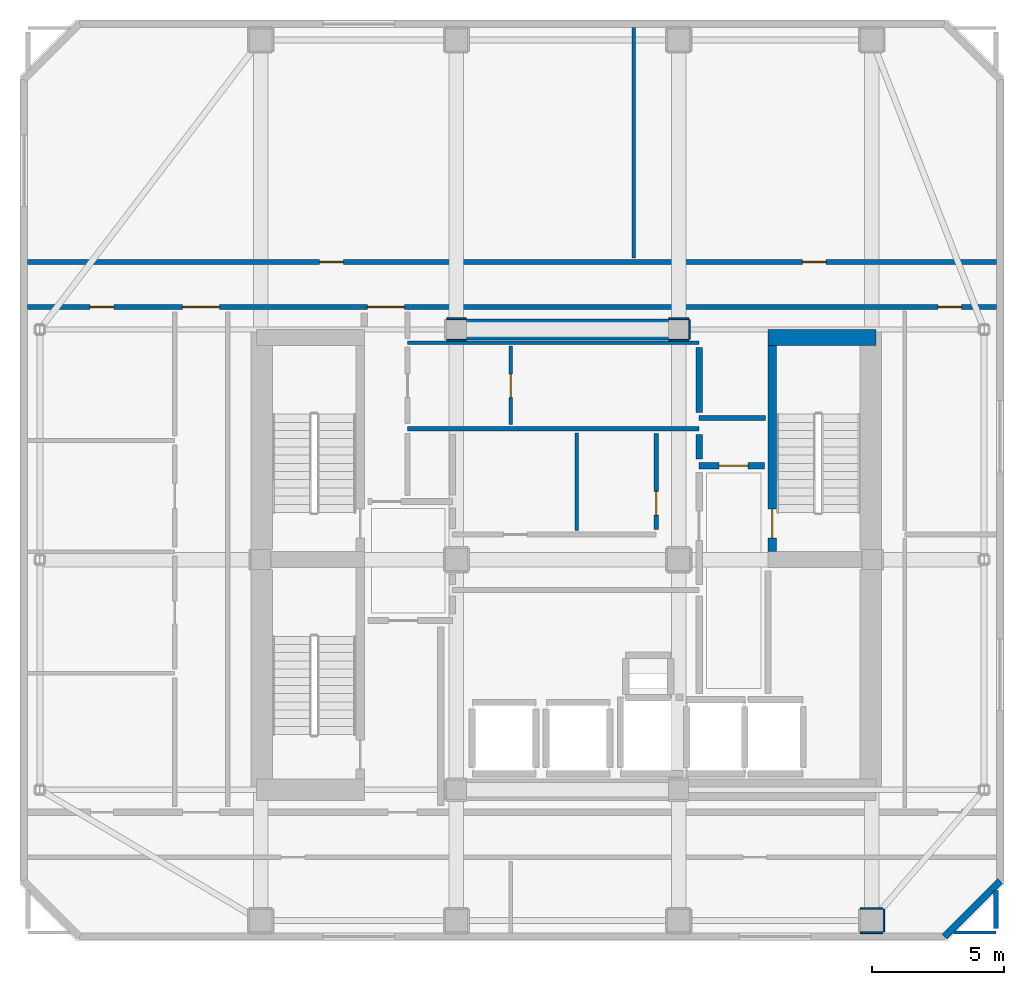
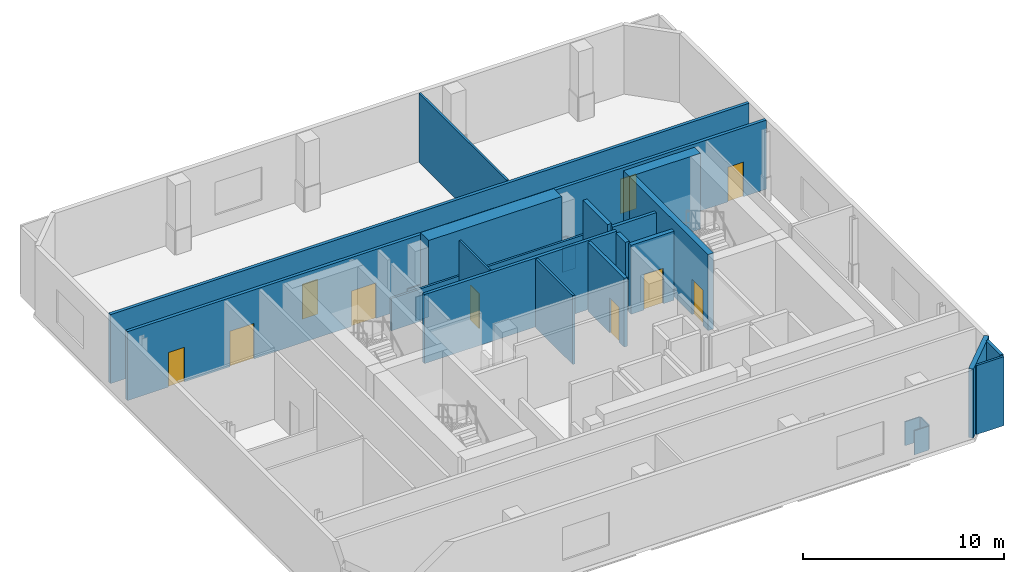
# One storey, part 6 of 9: 26 walls, 10 doors, 10 openings.
"""IFC4 building model written with IfcOpenShell, lengths in metres."""

from ifc_helpers import new_model, si_unit, direction, frame, frame_2d, origin, place, context, subcontext, project, spatial, rectangle, extrude, material, layer, layer_set, type_object, element, fill, save


model = new_model("IFC4")

# Units and contexts
model_context = context("Model", 3, precision=1e-05, world=origin(), true_north=direction((0.0, 1.0)))
body_context = subcontext(model_context, "Body", "Model", "MODEL_VIEW")
ifc_project = project(units=[si_unit("LENGTHUNIT", "METRE"), si_unit("AREAUNIT", "SQUARE_METRE"), si_unit("VOLUMEUNIT", "CUBIC_METRE"), si_unit("PLANEANGLEUNIT", "RADIAN"), si_unit("MASSUNIT", "GRAM", prefix="KILO")], contexts=[model_context])

# Site, building, storey
site_placement = place(None, origin())
site = spatial("IfcSite", under=ifc_project, at=site_placement, CompositionType="ELEMENT")
building_placement = place(site_placement, origin())
building = spatial("IfcBuilding", under=site, at=building_placement, Name="Solanera Arch Residences", CompositionType="ELEMENT")
storey_placement = place(building_placement, frame((0.0, 0.0, 273.47998046875)))
storey = spatial("IfcBuildingStorey", under=building, at=storey_placement, Name="L79", CompositionType="ELEMENT", Elevation=273.47998046875)

# Walls
ifc_material_1 = material(Name="Fire-Rated Gypsum Stud Partition", Category="gypsum")
ifc_layer_1 = layer(ifc_material_1, 0.06005859375)
ifc_layer_set_1 = layer_set([ifc_layer_1], Name="Fire-Rated Gypsum Stud Partition")
wall_type_1 = type_object("IfcWallType", Name="Column Acoustic Furring Wall 60", PredefinedType="PARTITIONING", material=ifc_layer_set_1)
for number, where, z_axis, x_axis, name in (
    (1, (20.425048828125, 38.992919921875, 0.0), (0.0, 0.0, 1.0), (1.0, 0.0, 0.0), "L79 Column Furring 3S"),
    (2, (20.425048828125, 39.806884765625, 0.0), (0.0, 0.0, 1.0), (1.0, 0.0, 0.0), "L79 Column Furring 3N"),
    (3, (28.8330078125, 38.992919921875, 0.0), (0.0, 0.0, 1.0), (1.0, 0.0, 0.0), "L79 Column Furring 4S"),
    (4, (28.8330078125, 39.806884765625, 0.0), (0.0, 0.0, 1.0), (1.0, 0.0, 0.0), "L79 Column Furring 4N"),
):
    element("IfcWall", number, at=place(storey_placement, frame(where, z_axis=z_axis, x_axis=x_axis)), inside=storey, type_object=wall_type_1, Name=name, PredefinedType="PARTITIONING", context=body_context, shape_type="SweptSolid", body=[
        extrude(rectangle(XDim=0.741943359375, YDim=0.06005859375, at=frame_2d((0.37109375, 0.0))), origin(), (0.0, 0.0, 1.0), 1.449951171875),
    ])
wall_1_placement = place(storey_placement, frame((29.60693359375, 39.02490234375, 0.0), z_axis=(0.0, 0.0, 1.0), x_axis=(0.0, 1.0, 0.0)))
element("IfcWall", 5, at=wall_1_placement, inside=storey, type_object=wall_type_1, Name="L79 Column Furring 4E", PredefinedType="PARTITIONING", context=body_context, shape_type="SweptSolid", body=[
    extrude(rectangle(XDim=0.75, YDim=0.06005859375, at=frame_2d((0.375, 0.0))), origin(), (0.0, 0.0, 1.0), 1.449951171875),
])
for number, where, z_axis, x_axis, name in (
    (6, (36.074951171875, 16.593017578125, 0.0), (0.0, 0.0, 1.0), (1.0, 0.0, 0.0), "L79 Column Furring 15S"),
    (7, (36.074951171875, 17.507080078125, 0.0), (0.0, 0.0, 1.0), (1.0, 0.0, 0.0), "L79 Column Furring 15N"),
    (8, (36.95703125, 16.625, 0.0), (0.0, 0.0, 1.0), (0.0, 1.0, 0.0), "L79 Column Furring 15E"),
):
    element("IfcWall", number, at=place(storey_placement, frame(where, z_axis=z_axis, x_axis=x_axis)), inside=storey, type_object=wall_type_1, Name=name, PredefinedType="PARTITIONING", context=body_context, shape_type="SweptSolid", body=[
        extrude(rectangle(XDim=0.85009765625, YDim=0.06005859375, at=frame_2d((0.425048828125, 0.0))), origin(), (0.0, 0.0, 1.0), 1.449951171875),
    ])

# Wall, opening, door
ifc_material_2 = material(Name="Concrete C40/50 (f'c = 45 MPa)", Category="concrete")
ifc_layer_2 = layer(ifc_material_2, 0.320068359375)
ifc_layer_set_2 = layer_set([ifc_layer_2], Name="Concrete C40/50 (f'c = 45 MPa)")
wall_type_2 = type_object("IfcWallType", Name="Core Shear Wall CW-320", PredefinedType="SHEAR", material=ifc_layer_set_2)
wall_2_placement = place(storey_placement, frame((32.739990234375, 31.0, 0.0), z_axis=(0.0, 0.0, 1.0), x_axis=(0.0, 1.0, 0.0)))
wall_2 = element("IfcWall", 9, at=wall_2_placement, inside=storey, type_object=wall_type_2, Name="L79 Stair ST-T2 West Shear Wall", PredefinedType="SHEAR", context=body_context, shape_type="SweptSolid", body=[
    extrude(rectangle(XDim=7.800048828125, YDim=0.320068359375, at=frame_2d((3.89990234375, 0.0))), origin(), (0.0, 0.0, 1.0), 4.60009765625),
])
opening_1_placement = place(wall_2_placement, frame((0.510009765625, 0.0, 0.0)))
opening_1 = element("IfcOpeningElement", 10, at=opening_1_placement, cuts=wall_2, Name="Opening DF-01", PredefinedType="OPENING", context=body_context, shape_type="SweptSolid", body=[
    extrude(rectangle(XDim=1.10009765625, YDim=2.14990234375, at=frame_2d((0.550048828125, 1.074951171875))), frame((0.0, 0.169921875, 0.0), z_axis=(0.0, -1.0, 0.0), x_axis=(1.0, 0.0, 0.0)), (0.0, 0.0, 1.0), 0.3401),
])
ifc_material_3 = material(Name="Fire-Rated Architectural Hardwood", Category="wood")
door_type_1 = type_object("IfcDoorType", Name="Stair Exit Fire Door DF-01", OperationType="NOTDEFINED", PredefinedType="DOOR", material=ifc_material_3)
door_1_placement = place(opening_1_placement, origin())
door_1 = element("IfcDoor", 11, at=door_1_placement, inside=storey, type_object=door_type_1, Name="DR-L79-STAIR-ST-T2", OperationType="SINGLE_SWING_LEFT", OverallHeight=2.14990234375, OverallWidth=1.10009765625, PredefinedType="DOOR", context=body_context, shape_type="SweptSolid", body=[
    extrude(rectangle(XDim=1.10009765625, YDim=2.14990234375, at=frame_2d((0.550048828125, 1.074951171875))), frame((0.0, 0.02490234375, 0.0), z_axis=(0.0, -1.0, 0.0), x_axis=(1.0, 0.0, 0.0)), (0.0, 0.0, 1.0), 0.050048828125),
])
fill(opening_1, door_1)

# Walls
ifc_material_4 = material(Name="Concrete C40/50 (f'c = 45 MPa)", Category="concrete")
ifc_layer_3 = layer(ifc_material_4, 0.60009765625)
ifc_layer_set_3 = layer_set([ifc_layer_3], Name="Concrete C40/50 (f'c = 45 MPa)")
wall_type_3 = type_object("IfcWallType", Name="Core Shear Wall CW-600", PredefinedType="SHEAR", material=ifc_layer_set_3)
wall_3_placement = place(storey_placement, frame((32.580078125, 39.10009765625, 0.0), z_axis=(0.0, 0.0, 1.0), x_axis=(1.0, 0.0, 0.0)))
element("IfcWall", 12, at=wall_3_placement, inside=storey, type_object=wall_type_3, Name="L79 North-East Core Shear Wall", PredefinedType="SHEAR", context=body_context, shape_type="SweptSolid", body=[
    extrude(rectangle(XDim=4.079833984375, YDim=0.60009765625, at=frame_2d((2.0400390625, 0.0))), origin(), (0.0, 0.0, 1.0), 4.60009765625),
])
ifc_material_5 = material(Name="Concrete C40/50 (f'c = 45 MPa)", Category="concrete")
ifc_layer_4 = layer(ifc_material_5, 0.800048828125)
ifc_layer_set_4 = layer_set([ifc_layer_4], Name="Concrete C40/50 (f'c = 45 MPa)")
wall_type_4 = type_object("IfcWallType", Name="Core Shear Wall CW-800", PredefinedType="SHEAR", material=ifc_layer_set_4)
wall_4_placement = place(storey_placement, frame((21.179931640625, 39.39990234375, 0.0), z_axis=(0.0, 0.0, 1.0), x_axis=(1.0, 0.0, 0.0)))
element("IfcWall", 13, at=wall_4_placement, inside=storey, type_object=wall_type_4, Name="L79 Central North Core Shear Wall", PredefinedType="SHEAR", context=body_context, shape_type="SweptSolid", body=[
    extrude(rectangle(XDim=7.64013671875, YDim=0.800048828125, at=frame_2d((3.820068359375, 0.0))), origin(), (0.0, 0.0, 1.0), 4.60009765625),
])
ifc_material_6 = material(Name="Autoclaved Aerated Concrete Blockwork", Category="masonry")
ifc_layer_5 = layer(ifc_material_6, 0.179931640625)
ifc_layer_set_5 = layer_set([ifc_layer_5], Name="Autoclaved Aerated Concrete Blockwork")
wall_type_5 = type_object("IfcWallType", Name="Corridor Fire Partition 180", PredefinedType="PARTITIONING", material=ifc_layer_set_5)
wall_5_placement = place(storey_placement, frame((18.949951171875, 35.64990234375, 0.0), z_axis=(0.0, 0.0, 1.0), x_axis=(1.0, 0.0, 0.0)))
element("IfcWall", 14, at=wall_5_placement, inside=storey, type_object=wall_type_5, Name="L79 Interior Partition H10", PredefinedType="PARTITIONING", context=body_context, shape_type="SweptSolid", body=[
    extrude(rectangle(XDim=11.025146484375, YDim=0.179931640625, at=frame_2d((5.5126953125, 0.0))), origin(), (0.0, 0.0, 1.0), 4.179931640625),
])
wall_6_placement = place(storey_placement, frame((29.97509765625, 36.050048828125, 0.0), z_axis=(0.0, 0.0, 1.0), x_axis=(1.0, 0.0, 0.0)))
element("IfcWall", 15, at=wall_6_placement, inside=storey, type_object=wall_type_5, Name="L79 Interior Partition H11", PredefinedType="PARTITIONING", context=body_context, shape_type="SweptSolid", body=[
    extrude(rectangle(XDim=2.5048828125, YDim=0.179931640625, at=frame_2d((1.25244140625, 0.0))), origin(), (0.0, 0.0, 1.0), 4.179931640625),
])

# Wall, openings, doors
wall_7_placement = place(storey_placement, frame((4.5869140625, 40.25, 0.0), z_axis=(0.0, 0.0, 1.0), x_axis=(1.0, 0.0, 0.0)))
wall_7 = element("IfcWall", 16, at=wall_7_placement, inside=storey, type_object=wall_type_5, Name="L79 Interior Partition H12", PredefinedType="PARTITIONING", context=body_context, shape_type="SweptSolid", body=[
    extrude(rectangle(XDim=36.6259765625, YDim=0.179931640625, at=frame_2d((18.31298828125, 0.0))), origin(), (0.0, 0.0, 1.0), 4.179931640625),
])
opening_2_placement = place(wall_7_placement, frame((12.847900390625, 0.0, 0.0)))
opening_2 = element("IfcOpeningElement", 17, at=opening_2_placement, cuts=wall_7, Name="Opening DF-03", PredefinedType="OPENING", context=body_context, shape_type="SweptSolid", body=[
    extrude(rectangle(XDim=1.39990234375, YDim=2.14990234375, at=frame_2d((0.699951171875, 1.074951171875))), frame((0.0, 0.10009765625, 0.0), z_axis=(0.0, -1.0, 0.0), x_axis=(1.0, 0.0, 0.0)), (0.0, 0.0, 1.0), 0.1999),
])
opening_3_placement = place(wall_7_placement, frame((5.863037109375, 0.0, 0.0)))
opening_3 = element("IfcOpeningElement", 18, at=opening_3_placement, cuts=wall_7, Name="Opening DF-03", PredefinedType="OPENING", context=body_context, shape_type="SweptSolid", body=[
    extrude(rectangle(XDim=1.39990234375, YDim=2.14990234375, at=frame_2d((0.699951171875, 1.074951171875))), frame((0.0, 0.10009765625, 0.0), z_axis=(0.0, -1.0, 0.0), x_axis=(1.0, 0.0, 0.0)), (0.0, 0.0, 1.0), 0.1999),
])
opening_4_placement = place(wall_7_placement, frame((2.362060546875, 0.0, 0.0)))
opening_4 = element("IfcOpeningElement", 19, at=opening_4_placement, cuts=wall_7, Name="Opening DI-02", PredefinedType="OPENING", context=body_context, shape_type="SweptSolid", body=[
    extrude(rectangle(XDim=0.89990234375, YDim=2.10009765625, at=frame_2d((0.449951171875, 1.050048828125))), frame((0.0, 0.10009765625, 0.0), z_axis=(0.0, -1.0, 0.0), x_axis=(1.0, 0.0, 0.0)), (0.0, 0.0, 1.0), 0.1999),
])
opening_5_placement = place(wall_7_placement, frame((34.4140625, 0.0, 0.0)))
opening_5 = element("IfcOpeningElement", 20, at=opening_5_placement, cuts=wall_7, Name="Opening DI-02", PredefinedType="OPENING", context=body_context, shape_type="SweptSolid", body=[
    extrude(rectangle(XDim=0.89990234375, YDim=2.10009765625, at=frame_2d((0.449951171875, 1.050048828125))), frame((0.0, 0.10009765625, 0.0), z_axis=(0.0, -1.0, 0.0), x_axis=(1.0, 0.0, 0.0)), (0.0, 0.0, 1.0), 0.1999),
])
ifc_material_7 = material(Name="Fire-Rated Architectural Hardwood", Category="wood")
door_type_2 = type_object("IfcDoorType", Name="Corridor Smoke Door DF-03", OperationType="NOTDEFINED", PredefinedType="DOOR", material=ifc_material_7)
door_2_placement = place(opening_2_placement, origin())
door_2 = element("IfcDoor", 21, at=door_2_placement, inside=storey, type_object=door_type_2, Name="DR-L79-IN-009", OperationType="SINGLE_SWING_RIGHT", OverallHeight=2.14990234375, OverallWidth=1.39990234375, PredefinedType="DOOR", context=body_context, shape_type="SweptSolid", body=[
    extrude(rectangle(XDim=1.39990234375, YDim=2.14990234375, at=frame_2d((0.699951171875, 1.074951171875))), frame((0.0, 0.02490234375, 0.0), z_axis=(0.0, -1.0, 0.0), x_axis=(1.0, 0.0, 0.0)), (0.0, 0.0, 1.0), 0.050048828125),
])
fill(opening_2, door_2)
door_3_placement = place(opening_3_placement, origin())
door_3 = element("IfcDoor", 22, at=door_3_placement, inside=storey, type_object=door_type_2, Name="DR-L79-IN-010", OperationType="SINGLE_SWING_LEFT", OverallHeight=2.14990234375, OverallWidth=1.39990234375, PredefinedType="DOOR", context=body_context, shape_type="SweptSolid", body=[
    extrude(rectangle(XDim=1.39990234375, YDim=2.14990234375, at=frame_2d((0.699951171875, 1.074951171875))), frame((0.0, 0.02490234375, 0.0), z_axis=(0.0, -1.0, 0.0), x_axis=(1.0, 0.0, 0.0)), (0.0, 0.0, 1.0), 0.050048828125),
])
fill(opening_3, door_3)
ifc_material_8 = material(Name="Fire-Rated Architectural Hardwood", Category="wood")
door_type_3 = type_object("IfcDoorType", Name="Suite Room Swing Door DI-02", OperationType="NOTDEFINED", PredefinedType="DOOR", material=ifc_material_8)
door_4_placement = place(opening_4_placement, origin())
door_4 = element("IfcDoor", 23, at=door_4_placement, inside=storey, type_object=door_type_3, Name="DR-L79-IN-023", OperationType="SINGLE_SWING_RIGHT", OverallHeight=2.10009765625, OverallWidth=0.89990234375, PredefinedType="DOOR", context=body_context, shape_type="SweptSolid", body=[
    extrude(rectangle(XDim=0.89990234375, YDim=2.10009765625, at=frame_2d((0.449951171875, 1.050048828125))), frame((0.0, 0.02490234375, 0.0), z_axis=(0.0, -1.0, 0.0), x_axis=(1.0, 0.0, 0.0)), (0.0, 0.0, 1.0), 0.050048828125),
])
fill(opening_4, door_4)
door_5_placement = place(opening_5_placement, origin())
door_5 = element("IfcDoor", 24, at=door_5_placement, inside=storey, type_object=door_type_3, Name="DR-L79-IN-025", OperationType="SINGLE_SWING_RIGHT", OverallHeight=2.10009765625, OverallWidth=0.89990234375, PredefinedType="DOOR", context=body_context, shape_type="SweptSolid", body=[
    extrude(rectangle(XDim=0.89990234375, YDim=2.10009765625, at=frame_2d((0.449951171875, 1.050048828125))), frame((0.0, 0.02490234375, 0.0), z_axis=(0.0, -1.0, 0.0), x_axis=(1.0, 0.0, 0.0)), (0.0, 0.0, 1.0), 0.050048828125),
])
fill(opening_5, door_5)

wall_8_placement = place(storey_placement, frame((4.5869140625, 41.949951171875, 0.0), z_axis=(0.0, 0.0, 1.0), x_axis=(1.0, 0.0, 0.0)))
wall_8 = element("IfcWall", 25, at=wall_8_placement, inside=storey, type_object=wall_type_5, Name="L79 Interior Partition H13", PredefinedType="PARTITIONING", context=body_context, shape_type="SweptSolid", body=[
    extrude(rectangle(XDim=36.6259765625, YDim=0.179931640625, at=frame_2d((18.31298828125, 0.0))), origin(), (0.0, 0.0, 1.0), 4.179931640625),
])
opening_6_placement = place(wall_8_placement, frame((11.037109375, 0.0, 0.0)))
opening_6 = element("IfcOpeningElement", 26, at=opening_6_placement, cuts=wall_8, Name="Opening DI-02", PredefinedType="OPENING", context=body_context, shape_type="SweptSolid", body=[
    extrude(rectangle(XDim=0.89990234375, YDim=2.10009765625, at=frame_2d((0.449951171875, 1.050048828125))), frame((0.0, 0.10009765625, 0.0), z_axis=(0.0, -1.0, 0.0), x_axis=(1.0, 0.0, 0.0)), (0.0, 0.0, 1.0), 0.1999),
])
opening_7_placement = place(wall_8_placement, frame((29.2890625, 0.0, 0.0)))
opening_7 = element("IfcOpeningElement", 27, at=opening_7_placement, cuts=wall_8, Name="Opening DI-02", PredefinedType="OPENING", context=body_context, shape_type="SweptSolid", body=[
    extrude(rectangle(XDim=0.89990234375, YDim=2.10009765625, at=frame_2d((0.449951171875, 1.050048828125))), frame((0.0, 0.10009765625, 0.0), z_axis=(0.0, -1.0, 0.0), x_axis=(1.0, 0.0, 0.0)), (0.0, 0.0, 1.0), 0.1999),
])
door_6_placement = place(opening_6_placement, origin())
door_6 = element("IfcDoor", 28, at=door_6_placement, inside=storey, type_object=door_type_3, Name="DR-L79-IN-018", OperationType="SINGLE_SWING_LEFT", OverallHeight=2.10009765625, OverallWidth=0.89990234375, PredefinedType="DOOR", context=body_context, shape_type="SweptSolid", body=[
    extrude(rectangle(XDim=0.89990234375, YDim=2.10009765625, at=frame_2d((0.449951171875, 1.050048828125))), frame((0.0, 0.02490234375, 0.0), z_axis=(0.0, -1.0, 0.0), x_axis=(1.0, 0.0, 0.0)), (0.0, 0.0, 1.0), 0.050048828125),
])
fill(opening_6, door_6)
door_7_placement = place(opening_7_placement, origin())
door_7 = element("IfcDoor", 29, at=door_7_placement, inside=storey, type_object=door_type_3, Name="DR-L79-IN-019", OperationType="SINGLE_SWING_RIGHT", OverallHeight=2.10009765625, OverallWidth=0.89990234375, PredefinedType="DOOR", context=body_context, shape_type="SweptSolid", body=[
    extrude(rectangle(XDim=0.89990234375, YDim=2.10009765625, at=frame_2d((0.449951171875, 1.050048828125))), frame((0.0, 0.02490234375, 0.0), z_axis=(0.0, -1.0, 0.0), x_axis=(1.0, 0.0, 0.0)), (0.0, 0.0, 1.0), 0.050048828125),
])
fill(opening_7, door_7)

# Wall, opening, door
wall_9_placement = place(storey_placement, frame((28.35009765625, 31.837890625, 0.0), z_axis=(0.0, 0.0, 1.0), x_axis=(0.0, 1.0, 0.0)))
wall_9 = element("IfcWall", 30, at=wall_9_placement, inside=storey, type_object=wall_type_5, Name="L79 Interior Partition V10", PredefinedType="PARTITIONING", context=body_context, shape_type="SweptSolid", body=[
    extrude(rectangle(XDim=3.6240234375, YDim=0.179931640625, at=frame_2d((1.81201171875, 0.0))), origin(), (0.0, 0.0, 1.0), 4.179931640625),
])
opening_8_placement = place(wall_9_placement, frame((0.541015625, 0.0, 0.0)))
opening_8 = element("IfcOpeningElement", 31, at=opening_8_placement, cuts=wall_9, Name="Opening DI-02", PredefinedType="OPENING", context=body_context, shape_type="SweptSolid", body=[
    extrude(rectangle(XDim=0.89990234375, YDim=2.10009765625, at=frame_2d((0.449951171875, 1.050048828125))), frame((0.0, 0.10009765625, 0.0), z_axis=(0.0, -1.0, 0.0), x_axis=(1.0, 0.0, 0.0)), (0.0, 0.0, 1.0), 0.1999),
])
door_8_placement = place(opening_8_placement, origin())
door_8 = element("IfcDoor", 32, at=door_8_placement, inside=storey, type_object=door_type_3, Name="DR-L79-IN-015", OperationType="SINGLE_SWING_RIGHT", OverallHeight=2.10009765625, OverallWidth=0.89990234375, PredefinedType="DOOR", context=body_context, shape_type="SweptSolid", body=[
    extrude(rectangle(XDim=0.89990234375, YDim=2.10009765625, at=frame_2d((0.449951171875, 1.050048828125))), frame((0.0, 0.02490234375, 0.0), z_axis=(0.0, -1.0, 0.0), x_axis=(1.0, 0.0, 0.0)), (0.0, 0.0, 1.0), 0.050048828125),
])
fill(opening_8, door_8)

# Walls
wall_10_placement = place(storey_placement, frame((41.199951171875, 16.758056640625, 0.0), z_axis=(0.0, 0.0, 1.0), x_axis=(0.0, 1.0, 0.0)))
element("IfcWall", 33, at=wall_10_placement, inside=storey, type_object=wall_type_5, Name="L79 Interior Partition V11 1", PredefinedType="PARTITIONING", context=body_context, shape_type="SweptSolid", body=[
    extrude(rectangle(XDim=1.430908203125, YDim=0.179931640625, at=frame_2d((0.71533203125, 0.0))), origin(), (0.0, 0.0, 1.0), 4.179931640625),
])
ifc_material_9 = material(Name="Precast Concrete C35/45", Category="concrete")
ifc_layer_6 = layer(ifc_material_9, 0.260009765625)
ifc_layer_set_6 = layer_set([ifc_layer_6], Name="Precast Concrete C35/45")
wall_type_6 = type_object("IfcWallType", Name="Exterior Wall Precast Masonry-Frame 260", PredefinedType="STANDARD", material=ifc_layer_set_6)
wall_11_placement = place(storey_placement, frame((41.35498046875, 18.544921875, 0.0), z_axis=(0.0, 0.0, 1.0), x_axis=(-0.707147883682, -0.707065676302, 0.0)))
element("IfcWall", 34, at=wall_11_placement, inside=storey, type_object=wall_type_6, Name="L79 Tower Exterior Precast Masonry-Frame Wall CH5", PredefinedType="STANDARD", context=body_context, shape_type="SweptSolid", body=[
    extrude(rectangle(XDim=2.9697265625, YDim=0.260009765625, at=frame_2d((1.48486328125, 0.0))), origin(), (0.0, 0.0, 1.0), 4.179931640625),
])

# Wall, opening, door
ifc_material_10 = material(Name="Autoclaved Aerated Concrete Blockwork", Category="masonry")
ifc_layer_7 = layer(ifc_material_10, 0.239990234375)
ifc_layer_set_7 = layer_set([ifc_layer_7], Name="Autoclaved Aerated Concrete Blockwork")
wall_type_7 = type_object("IfcWallType", Name="Shaft Wall Fire-Rated 240", PredefinedType="PARTITIONING", material=ifc_layer_set_7)
wall_12_placement = place(storey_placement, frame((29.97509765625, 34.25, 0.0), z_axis=(0.0, 0.0, 1.0), x_axis=(1.0, 0.0, 0.0)))
wall_12 = element("IfcWall", 35, at=wall_12_placement, inside=storey, type_object=wall_type_7, Name="L79 Interior Partition H5", PredefinedType="PARTITIONING", context=body_context, shape_type="SweptSolid", body=[
    extrude(rectangle(XDim=2.474853515625, YDim=0.239990234375, at=frame_2d((1.2373046875, 0.0))), origin(), (0.0, 0.0, 1.0), 4.179931640625),
])
opening_9_placement = place(wall_12_placement, frame((0.751953125, 0.0, 0.0)))
opening_9 = element("IfcOpeningElement", 36, at=opening_9_placement, cuts=wall_12, Name="Opening DF-02", PredefinedType="OPENING", context=body_context, shape_type="SweptSolid", body=[
    extrude(rectangle(XDim=1.10009765625, YDim=2.14990234375, at=frame_2d((0.550048828125, 1.074951171875))), frame((0.0, 0.1298828125, 0.0), z_axis=(0.0, -1.0, 0.0), x_axis=(1.0, 0.0, 0.0)), (0.0, 0.0, 1.0), 0.26),
])
ifc_material_11 = material(Name="Fire-Rated Architectural Hardwood", Category="wood")
door_type_4 = type_object("IfcDoorType", Name="Firefighting Lobby Fire Door DF-02", OperationType="NOTDEFINED", PredefinedType="DOOR", material=ifc_material_11)
door_9_placement = place(opening_9_placement, origin())
door_9 = element("IfcDoor", 37, at=door_9_placement, inside=storey, type_object=door_type_4, Name="DR-L79-IN-007", OperationType="SINGLE_SWING_RIGHT", OverallHeight=2.14990234375, OverallWidth=1.10009765625, PredefinedType="DOOR", context=body_context, shape_type="SweptSolid", body=[
    extrude(rectangle(XDim=1.10009765625, YDim=2.14990234375, at=frame_2d((0.550048828125, 1.074951171875))), frame((0.0, 0.02490234375, 0.0), z_axis=(0.0, -1.0, 0.0), x_axis=(1.0, 0.0, 0.0)), (0.0, 0.0, 1.0), 0.050048828125),
])
fill(opening_9, door_9)

# Walls
wall_13_placement = place(storey_placement, frame((29.97509765625, 34.498046875, 0.0), z_axis=(0.0, 0.0, 1.0), x_axis=(0.0, 1.0, 0.0)))
element("IfcWall", 38, at=wall_13_placement, inside=storey, type_object=wall_type_7, Name="L79 Interior Partition V4 3", PredefinedType="PARTITIONING", context=body_context, shape_type="SweptSolid", body=[
    extrude(rectangle(XDim=0.933837890625, YDim=0.239990234375, at=frame_2d((0.466796875, 0.0))), origin(), (0.0, 0.0, 1.0), 4.179931640625),
])
wall_14_placement = place(storey_placement, frame((29.97509765625, 36.26806640625, 0.0), z_axis=(0.0, 0.0, 1.0), x_axis=(0.0, 1.0, 0.0)))
element("IfcWall", 39, at=wall_14_placement, inside=storey, type_object=wall_type_7, Name="L79 Interior Partition V4 4", PredefinedType="PARTITIONING", context=body_context, shape_type="SweptSolid", body=[
    extrude(rectangle(XDim=2.44384765625, YDim=0.239990234375, at=frame_2d((1.221923828125, 0.0))), origin(), (0.0, 0.0, 1.0), 4.179931640625),
])
ifc_material_12 = material(Name="Fire-Rated Gypsum Stud Partition", Category="gypsum")
ifc_layer_8 = layer(ifc_material_12, 0.1201171875)
ifc_layer_set_8 = layer_set([ifc_layer_8], Name="Fire-Rated Gypsum Stud Partition")
wall_type_8 = type_object("IfcWallType", Name="Unit Drywall Partition 120", PredefinedType="PARTITIONING", material=ifc_layer_set_8)
wall_15_placement = place(storey_placement, frame((39.611083984375, 16.60009765625, 0.0), z_axis=(0.0, 0.0, 1.0), x_axis=(1.0, 0.0, 0.0)))
element("IfcWall", 40, at=wall_15_placement, inside=storey, type_object=wall_type_8, Name="L79 Interior Partition H17 2", PredefinedType="PARTITIONING", context=body_context, shape_type="SweptSolid", body=[
    extrude(rectangle(XDim=1.5888671875, YDim=0.1201171875, at=frame_2d((0.79443359375, 0.0))), origin(), (0.0, 0.0, 1.0), 4.179931640625),
])
wall_16_placement = place(storey_placement, frame((18.949951171875, 38.89990234375, 0.0), z_axis=(0.0, 0.0, 1.0), x_axis=(1.0, 0.0, 0.0)))
element("IfcWall", 41, at=wall_16_placement, inside=storey, type_object=wall_type_8, Name="L79 Interior Partition H18", PredefinedType="PARTITIONING", context=body_context, shape_type="SweptSolid", body=[
    extrude(rectangle(XDim=11.025146484375, YDim=0.1201171875, at=frame_2d((5.5126953125, 0.0))), origin(), (0.0, 0.0, 1.0), 1.965087890625),
])

# Wall, opening, door
wall_17_placement = place(storey_placement, frame((22.85009765625, 35.80810546875, 0.0), z_axis=(0.0, 0.0, 1.0), x_axis=(0.0, 1.0, 0.0)))
wall_17 = element("IfcWall", 42, at=wall_17_placement, inside=storey, type_object=wall_type_8, Name="L79 Interior Partition V13", PredefinedType="PARTITIONING", context=body_context, shape_type="SweptSolid", body=[
    extrude(rectangle(XDim=2.9638671875, YDim=0.1201171875, at=frame_2d((1.48193359375, 0.0))), origin(), (0.0, 0.0, 1.0), 4.179931640625),
])
opening_10_placement = place(wall_17_placement, frame((1.01708984375, 0.0, 0.0)))
opening_10 = element("IfcOpeningElement", 43, at=opening_10_placement, cuts=wall_17, Name="Opening DI-02", PredefinedType="OPENING", context=body_context, shape_type="SweptSolid", body=[
    extrude(rectangle(XDim=0.89990234375, YDim=2.10009765625, at=frame_2d((0.449951171875, 1.050048828125))), frame((0.0, 0.070068359375, 0.0), z_axis=(0.0, -1.0, 0.0), x_axis=(1.0, 0.0, 0.0)), (0.0, 0.0, 1.0), 0.1401),
])
door_10_placement = place(opening_10_placement, origin())
door_10 = element("IfcDoor", 44, at=door_10_placement, inside=storey, type_object=door_type_3, Name="DR-L79-IN-013", OperationType="SINGLE_SWING_RIGHT", OverallHeight=2.10009765625, OverallWidth=0.89990234375, PredefinedType="DOOR", context=body_context, shape_type="SweptSolid", body=[
    extrude(rectangle(XDim=0.89990234375, YDim=2.10009765625, at=frame_2d((0.449951171875, 1.050048828125))), frame((0.0, 0.02490234375, 0.0), z_axis=(0.0, -1.0, 0.0), x_axis=(1.0, 0.0, 0.0)), (0.0, 0.0, 1.0), 0.050048828125),
])
fill(opening_10, door_10)

# Walls
wall_18_placement = place(storey_placement, frame((25.35009765625, 31.80810546875, 0.0), z_axis=(0.0, 0.0, 1.0), x_axis=(0.0, 1.0, 0.0)))
element("IfcWall", 45, at=wall_18_placement, inside=storey, type_object=wall_type_8, Name="L79 Interior Partition V14", PredefinedType="PARTITIONING", context=body_context, shape_type="SweptSolid", body=[
    extrude(rectangle(XDim=3.683837890625, YDim=0.1201171875, at=frame_2d((1.841796875, 0.0))), origin(), (0.0, 0.0, 1.0), 4.179931640625),
])
wall_19_placement = place(storey_placement, frame((27.5, 42.10791015625, 0.0), z_axis=(0.0, 0.0, 1.0), x_axis=(0.0, 1.0, 0.0)))
element("IfcWall", 46, at=wall_19_placement, inside=storey, type_object=wall_type_8, Name="L79 Interior Partition V15", PredefinedType="PARTITIONING", context=body_context, shape_type="SweptSolid", body=[
    extrude(rectangle(XDim=8.705078125, YDim=0.1201171875, at=frame_2d((4.3525390625, 0.0))), origin(), (0.0, 0.0, 1.0), 4.179931640625),
])

save(model, "model.ifc")
